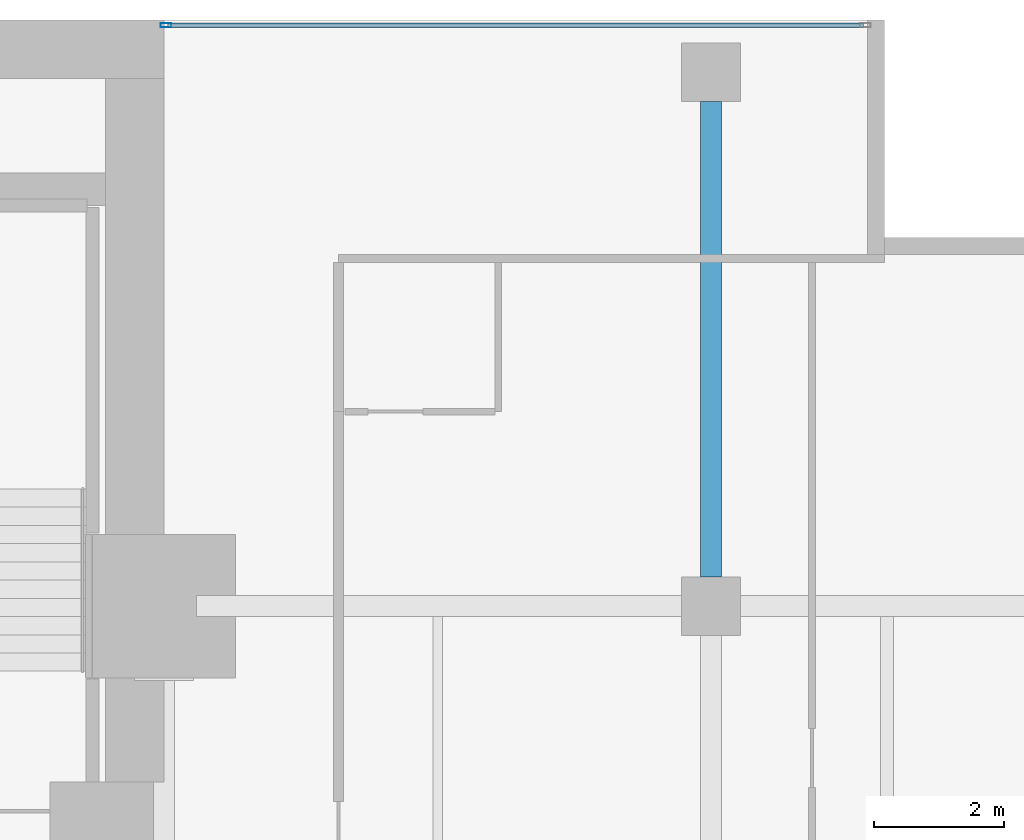
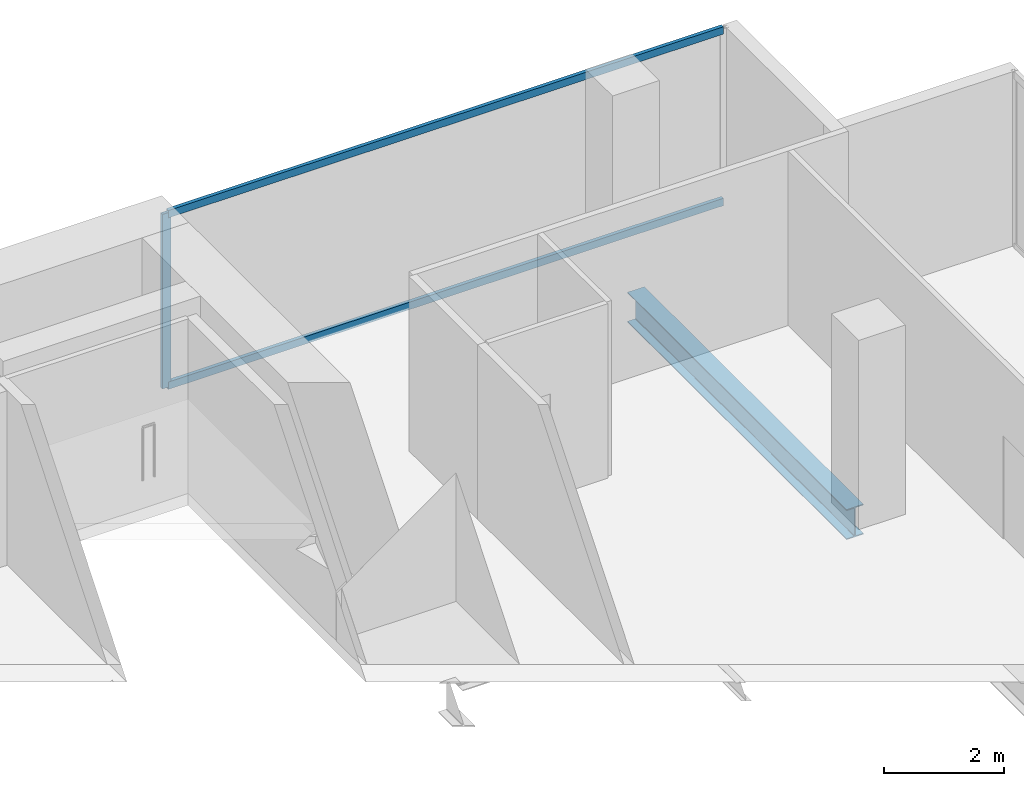
# One storey, part 30 of 39: 3 members, 1 beam, 1 element without a shape of its own.
"""IFC4 building model written with IfcOpenShell, lengths in metres."""

from ifc_helpers import new_model, si_unit, direction, frame, origin, origin_2d, place, context, subcontext, project, spatial, hollow_rectangle, i_section, extrude, material, layer, layer_set, material_profile, profile_set, type_object, element, aggregate, save


model = new_model("IFC4")

# Units and contexts
model_context = context("Model", 3, precision=1e-05, world=origin(), true_north=direction((0.0, 1.0)))
body_context = subcontext(model_context, "Body", "Model", "MODEL_VIEW")
ifc_project = project(units=[si_unit("LENGTHUNIT", "METRE"), si_unit("AREAUNIT", "SQUARE_METRE"), si_unit("VOLUMEUNIT", "CUBIC_METRE"), si_unit("PLANEANGLEUNIT", "RADIAN"), si_unit("MASSUNIT", "GRAM", prefix="KILO")], contexts=[model_context])

# Site, building, storey
site_placement = place(None, origin())
site = spatial("IfcSite", under=ifc_project, at=site_placement, CompositionType="ELEMENT")
building_placement = place(site_placement, origin())
building = spatial("IfcBuilding", under=site, at=building_placement, Name="Maruvema Waterfront Hotel and Observation Tower", CompositionType="ELEMENT")
storey_placement = place(building_placement, frame((0.0, 0.0, 111.64990234375)))
storey = spatial("IfcBuildingStorey", under=building, at=storey_placement, Name="L27", CompositionType="ELEMENT", Elevation=111.64990234375)

# Curtain wall, members
ifc_material_1 = material(Name="Anodised bronze aluminium and solar-control low-E IGU", Category="aluminium")
ifc_layer = layer(ifc_material_1, 0.159912109375, Name="Zone 1 Bronze Inner Thermal Curtain Wall System CW-02")
ifc_layer_set = layer_set([ifc_layer], Name="Anodised bronze aluminium and solar-control low-E IGU")
curtain_wall_type = type_object("IfcCurtainWallType", Name="Zone 1 Bronze Inner Thermal Curtain Wall System CW-02", PredefinedType="USERDEFINED", material=ifc_layer_set)
curtain_wall_placement = place(storey_placement, origin())
curtain_wall = element("IfcCurtainWall", 1, at=curtain_wall_placement, inside=storey, type_object=curtain_wall_type, Name="L27 Curtain Wall CW-L27-NE", ObjectType="UNITISED CURTAIN WALL", PredefinedType="USERDEFINED")
ifc_material_2 = material(Name="Anodised architectural bronze aluminium", Category="aluminium")
ifc_material_profile_1 = material_profile(ifc_material_2, hollow_rectangle(XDim=0.070068359375, YDim=0.14990234375, WallThickness=0.00390625, at=origin_2d()), Name="ALU-T70x150")
ifc_profile_set_1 = profile_set([ifc_material_profile_1], Name="Anodised architectural bronze aluminium")
member_type_1 = type_object("IfcMemberType", Name="Curtain Wall Horizontal Transom ALU-T70x150", PredefinedType="USERDEFINED", material=ifc_profile_set_1)
member_1_placement = place(storey_placement, frame((61.139892578125, 53.919921875, 0.030029296875), z_axis=(-1.0, 0.0, 0.0), x_axis=(0.0, -1.0, 0.0)))
member_1 = element("IfcMember", 2, at=member_1_placement, type_object=member_type_1, Name="CW-02 transom 1.1", ObjectType="TRANSOM", PredefinedType="USERDEFINED", context=body_context, shape_type="SweptSolid", body=[
    extrude(hollow_rectangle(XDim=0.070068359375, YDim=0.14990234375, WallThickness=0.00390625, at=origin_2d()), origin(), (0.0, 0.0, 1.0), 10.679931640625),
])
member_2_placement = place(storey_placement, frame((61.139892578125, 53.919921875, 3.52001953125), z_axis=(-1.0, 0.0, 0.0), x_axis=(0.0, -1.0, 0.0)))
member_2 = element("IfcMember", 3, at=member_2_placement, type_object=member_type_1, Name="CW-02 transom 1.2", ObjectType="TRANSOM", PredefinedType="USERDEFINED", context=body_context, shape_type="SweptSolid", body=[
    extrude(hollow_rectangle(XDim=0.070068359375, YDim=0.14990234375, WallThickness=0.00390625, at=origin_2d()), origin(), (0.0, 0.0, 1.0), 10.679931640625),
])
ifc_material_3 = material(Name="Anodised architectural bronze aluminium", Category="aluminium")
ifc_material_profile_2 = material_profile(ifc_material_3, hollow_rectangle(XDim=0.06494140625, YDim=0.1650390625, WallThickness=0.00390625, at=origin_2d()), Name="ALU-M65x165")
ifc_profile_set_2 = profile_set([ifc_material_profile_2], Name="Anodised architectural bronze aluminium")
member_type_2 = type_object("IfcMemberType", Name="Curtain Wall Primary Mullion ALU-M65x165", PredefinedType="MULLION", material=ifc_profile_set_2)
member_3_placement = place(storey_placement, frame((50.429931640625, 53.919921875, 0.0), z_axis=(0.0, 0.0, 1.0), x_axis=(0.0, -1.0, 0.0)))
member_3 = element("IfcMember", 4, at=member_3_placement, type_object=member_type_2, Name="CW-02 mullion 2", PredefinedType="MULLION", context=body_context, shape_type="SweptSolid", body=[
    extrude(hollow_rectangle(XDim=0.06494140625, YDim=0.1650390625, WallThickness=0.00390625, at=origin_2d()), origin(), (0.0, 0.0, 1.0), 3.550048828125),
])
aggregate(curtain_wall, [member_3, member_1, member_2])

# Beam
ifc_material_4 = material(Name="Steel ASTM A572 Grade 50", Category="steel")
ifc_material_profile_3 = material_profile(ifc_material_4, i_section(OverallWidth=0.323974609375, OverallDepth=0.611083984375, WebThickness=0.0126953125, FlangeThickness=0.01904296875, FilletRadius=0.01806640625, at=origin_2d()), Name="W610x155.0")
ifc_profile_set_3 = profile_set([ifc_material_profile_3], Name="Steel ASTM A572 Grade 50")
beam_type = type_object("IfcBeamType", Name="Primary Floor Girder W610x155.0", PredefinedType="BEAM", material=ifc_profile_set_3)
beam_placement = place(storey_placement, frame((58.800048828125, 45.449951171875, -0.54541015625), z_axis=(0.0, 1.0, 0.0), x_axis=(-1.0, 0.0, 0.0)))
element("IfcBeam", 5, at=beam_placement, inside=storey, type_object=beam_type, Name="L27 Floor Girder NS-32", PredefinedType="BEAM", context=body_context, shape_type="SweptSolid", body=[
    extrude(i_section(OverallWidth=0.323974609375, OverallDepth=0.611083984375, WebThickness=0.0126953125, FlangeThickness=0.01904296875, FilletRadius=0.01806640625, at=origin_2d()), origin(), (0.0, 0.0, 1.0), 7.300048828125),
])

save(model, "model.ifc")
